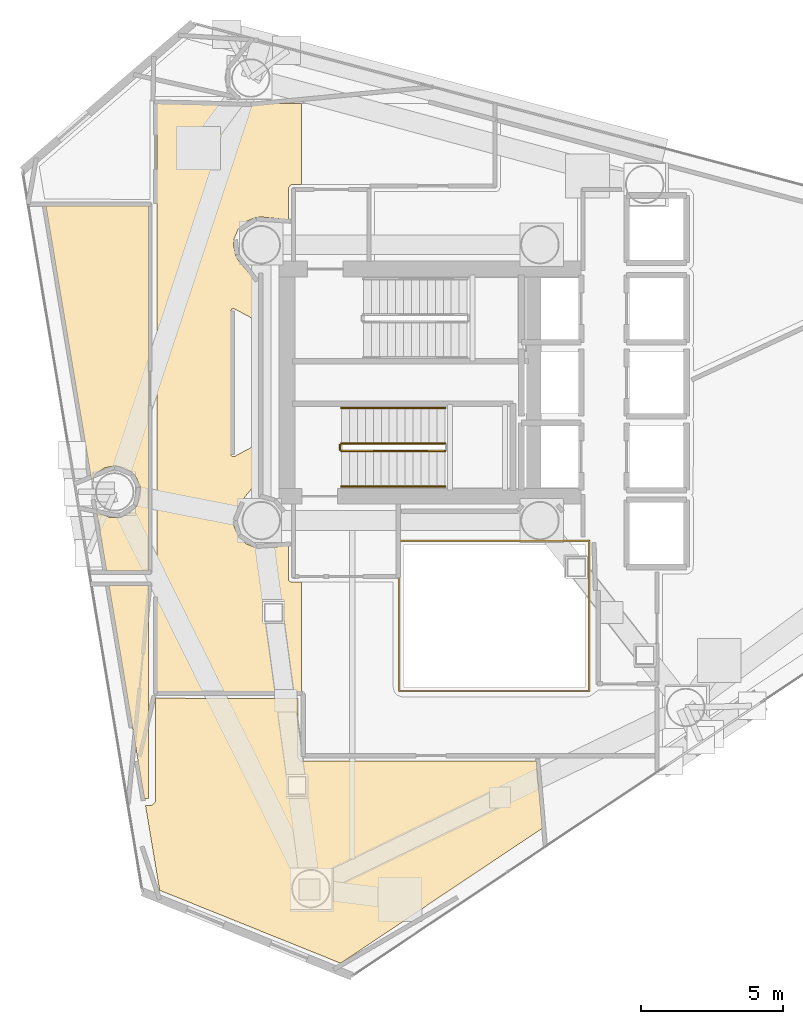
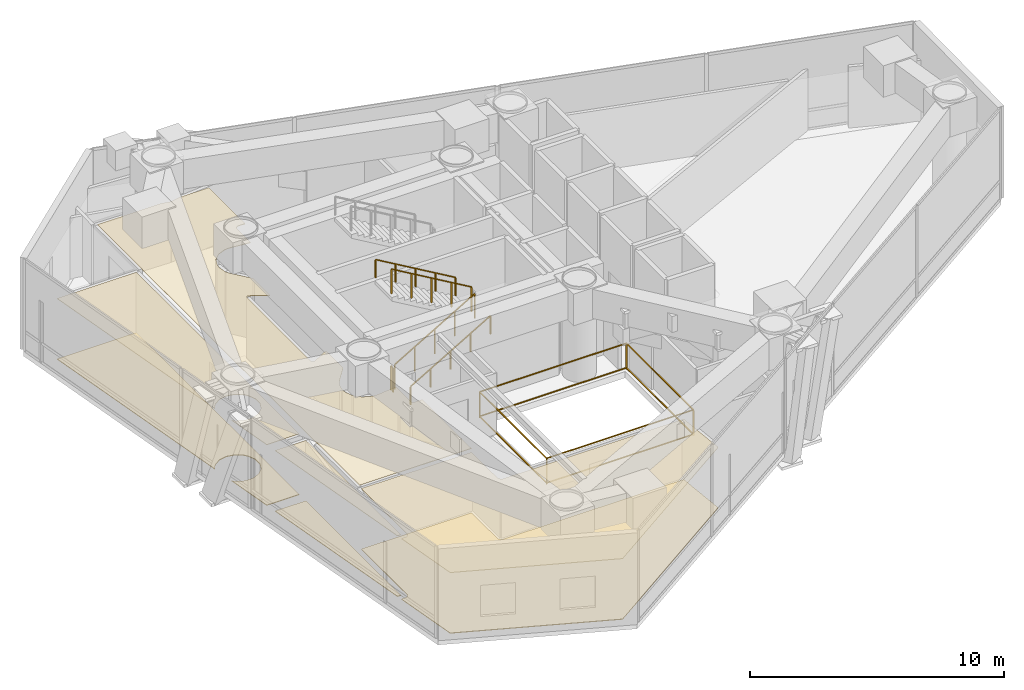
# One storey, part 20 of 22: 7 coverings, 6 railings.
"""IFC4 building model written with IfcOpenShell, lengths in metres."""

from ifc_helpers import new_model, si_unit, direction, frame, origin, origin_2d, place, context, subcontext, project, spatial, polyline, rectangle, outline, extrude, material, layer, layer_set, type_object, element, save


model = new_model("IFC4")

# Units and contexts
model_context = context("Model", 3, precision=1e-05, world=origin(), true_north=direction((0.0, 1.0)))
body_context = subcontext(model_context, "Body", "Model", "MODEL_VIEW")
ifc_project = project(units=[si_unit("LENGTHUNIT", "METRE"), si_unit("AREAUNIT", "SQUARE_METRE"), si_unit("VOLUMEUNIT", "CUBIC_METRE"), si_unit("PLANEANGLEUNIT", "RADIAN"), si_unit("MASSUNIT", "GRAM", prefix="KILO")], contexts=[model_context])

# Site, building, storey
site_placement = place(None, origin())
site = spatial("IfcSite", under=ifc_project, at=site_placement, CompositionType="ELEMENT")
building_placement = place(site_placement, origin())
building = spatial("IfcBuilding", under=site, at=building_placement, Name="Qianvela Tower", CompositionType="ELEMENT")
storey_placement = place(building_placement, frame((0.0, 0.0, 184.60009765625)))
storey = spatial("IfcBuildingStorey", under=building, at=storey_placement, Name="L47", CompositionType="ELEMENT", Elevation=184.60009765625)

# Coverings
ifc_material_1 = material(Name="Perforated Mineral Acoustic Ceiling Tile")
ifc_layer_1 = layer(ifc_material_1, 0.02490234375)
ifc_layer_set_1 = layer_set([ifc_layer_1], Name="Perforated Mineral Acoustic Ceiling Tile")
covering_type_1 = type_object("IfcCoveringType", Name="COV-CEIL-ACOUSTIC-25", PredefinedType="CEILING", material=ifc_layer_set_1)
covering_1_placement = place(storey_placement, frame((0.0, 0.0, 2.914794921875)))
element("IfcCovering", 1, at=covering_1_placement, inside=storey, type_object=covering_type_1, Name="L47 Acoustic Ceiling L47 Fire Refuge Area North", PredefinedType="CEILING", context=body_context, shape_type="SweptSolid", body=[
    extrude(outline(polyline([(22.631103515625, 25.257568359375), (21.024658203125, 34.919921875), (24.639892578125, 34.919921875), (24.639892578125, 22.080078125), (23.159423828125, 22.080078125), (22.801513671875, 24.232177734375), (22.925537109375, 24.108154296875), (22.931396484375, 24.102783203125), (22.937744140625, 24.09814453125), (22.9443359375, 24.09423828125), (22.951416015625, 24.0908203125), (23.25244140625, 23.966064453125), (23.260009765625, 23.96337890625), (23.267578125, 23.961669921875), (23.275390625, 23.96044921875), (23.283203125, 23.9599609375), (23.60888671875, 23.9599609375), (23.61669921875, 23.96044921875), (23.62451171875, 23.961669921875), (23.632080078125, 23.96337890625), (23.639404296875, 23.966064453125), (23.9404296875, 24.0908203125), (23.947509765625, 24.09423828125), (23.954345703125, 24.09814453125), (23.960693359375, 24.102783203125), (23.966552734375, 24.108154296875), (24.19677734375, 24.33837890625), (24.2021484375, 24.34423828125), (24.206787109375, 24.3505859375), (24.210693359375, 24.357421875), (24.214111328125, 24.364501953125), (24.3388671875, 24.66552734375), (24.341552734375, 24.6728515625), (24.343505859375, 24.680419921875), (24.344482421875, 24.688232421875), (24.344970703125, 24.696044921875), (24.344970703125, 25.02197265625), (24.344482421875, 25.02978515625), (24.343505859375, 25.03759765625), (24.341552734375, 25.045166015625), (24.3388671875, 25.052490234375), (24.214111328125, 25.353515625), (24.210693359375, 25.360595703125), (24.206787109375, 25.3671875), (24.2021484375, 25.373779296875), (24.098388671875, 25.500244140625), (24.093017578125, 25.506103515625), (24.087158203125, 25.51123046875), (24.080810546875, 25.51611328125), (23.81005859375, 25.697021484375), (23.80322265625, 25.700927734375), (23.796142578125, 25.704345703125), (23.788818359375, 25.70703125), (23.781005859375, 25.708984375), (23.461669921875, 25.7724609375), (23.453857421875, 25.773681640625), (23.446044921875, 25.77392578125), (23.438232421875, 25.773681640625), (23.430419921875, 25.7724609375), (23.11083984375, 25.708984375), (23.103271484375, 25.70703125), (23.095703125, 25.704345703125), (23.088623046875, 25.700927734375), (23.08203125, 25.697021484375), (22.81103515625, 25.51611328125), (22.8046875, 25.51123046875), (22.799072265625, 25.506103515625), (22.793701171875, 25.500244140625), (22.7890625, 25.493896484375), (22.631103515625, 25.257568359375)])), origin(), (0.0, 0.0, 1.0), 0.025146484375),
])
covering_2_placement = place(storey_placement, frame((0.0, 0.0, 2.914794921875)))
element("IfcCovering", 2, at=covering_2_placement, inside=storey, type_object=covering_type_1, Name="L47 Acoustic Ceiling L47 Fire Refuge Area South", PredefinedType="CEILING", context=body_context, shape_type="SweptSolid", body=[
    extrude(outline(polyline([(24.489501953125, 14.080078125), (23.244140625, 21.570068359375), (24.639892578125, 21.570068359375), (24.639892578125, 14.080078125), (24.489501953125, 14.080078125)])), origin(), (0.0, 0.0, 1.0), 0.025146484375),
])
covering_3_placement = place(storey_placement, frame((0.0, 0.0, 2.914794921875)))
element("IfcCovering", 3, at=covering_3_placement, inside=storey, type_object=covering_type_1, Name="L47 Acoustic Ceiling Bay 1 L47 Mechanical Plant Corridor", PredefinedType="CEILING", context=body_context, shape_type="SweptSolid", body=[
    extrude(outline(polyline([(27.900634765625, 24.52734375), (27.70654296875, 24.23681640625), (27.70263671875, 24.230224609375), (27.69921875, 24.22314453125), (27.696533203125, 24.2158203125), (27.694580078125, 24.2080078125), (27.62646484375, 23.865478515625), (27.62548828125, 23.85791015625), (27.625, 23.85009765625), (27.62548828125, 23.84228515625), (27.642578125, 23.66748046875), (27.643798828125, 23.659912109375), (27.6455078125, 23.652099609375), (27.648193359375, 23.644775390625), (27.781982421875, 23.322021484375), (27.785400390625, 23.315185546875), (27.789306640625, 23.308349609375), (27.7939453125, 23.302001953125), (27.79931640625, 23.296142578125), (28.046142578125, 23.04931640625), (28.052001953125, 23.0439453125), (28.058349609375, 23.039306640625), (28.065185546875, 23.035400390625), (28.072021484375, 23.031982421875), (28.394775390625, 22.898193359375), (28.402099609375, 22.8955078125), (28.409912109375, 22.893798828125), (28.41748046875, 22.892578125), (28.59228515625, 22.87548828125), (28.60009765625, 22.875), (28.60791015625, 22.87548828125), (29.55810546875, 22.968994140625), (29.55810546875, 21.780029296875), (29.558349609375, 21.772216796875), (29.5595703125, 21.764404296875), (29.561279296875, 21.7568359375), (29.564208984375, 21.74951171875), (29.5673828125, 21.7421875), (29.571533203125, 21.735595703125), (29.576171875, 21.729248046875), (29.581298828125, 21.723388671875), (29.587158203125, 21.71826171875), (29.593505859375, 21.71337890625), (29.600341796875, 21.70947265625), (29.607421875, 21.7060546875), (29.61474609375, 21.703369140625), (29.622314453125, 21.701416015625), (29.630126953125, 21.700439453125), (29.637939453125, 21.699951171875), (30.01513671875, 21.699951171875), (30.01513671875, 17.830078125), (24.929931640625, 17.830078125), (24.929931640625, 38.52001953125), (27.831787109375, 38.52001953125), (28.218505859375, 38.437744140625), (28.2265625, 38.436279296875), (28.235107421875, 38.43603515625), (28.243408203125, 38.436279296875), (28.251708984375, 38.437744140625), (28.63818359375, 38.52001953125), (30.01513671875, 38.52001953125), (30.01513671875, 35.660888671875), (29.68798828125, 35.660888671875), (29.68017578125, 35.660400390625), (29.67236328125, 35.6591796875), (29.664794921875, 35.657470703125), (29.6572265625, 35.65478515625), (29.650146484375, 35.6513671875), (29.6435546875, 35.647216796875), (29.63720703125, 35.642578125), (29.63134765625, 35.637451171875), (29.626220703125, 35.631591796875), (29.576171875, 35.57080078125), (29.571533203125, 35.564453125), (29.5673828125, 35.5576171875), (29.564208984375, 35.550537109375), (29.561279296875, 35.543212890625), (29.5595703125, 35.53564453125), (29.558349609375, 35.52783203125), (29.55810546875, 35.52001953125), (29.55810546875, 34.430908203125), (28.60791015625, 34.524658203125), (28.60009765625, 34.52490234375), (28.59228515625, 34.524658203125), (28.41748046875, 34.50732421875), (28.409912109375, 34.50634765625), (28.402099609375, 34.50439453125), (28.394775390625, 34.501708984375), (28.072021484375, 34.3681640625), (28.065185546875, 34.36474609375), (28.058349609375, 34.360595703125), (28.052001953125, 34.35595703125), (28.046142578125, 34.3505859375), (27.79931640625, 34.103759765625), (27.7939453125, 34.097900390625), (27.789306640625, 34.091796875), (27.785400390625, 34.0849609375), (27.781982421875, 34.077880859375), (27.648193359375, 33.755126953125), (27.6455078125, 33.747802734375), (27.643798828125, 33.740234375), (27.642578125, 33.732421875), (27.62548828125, 33.557861328125), (27.625, 33.550048828125), (27.62548828125, 33.542236328125), (27.62646484375, 33.534423828125), (27.694580078125, 33.19189453125), (27.696533203125, 33.184326171875), (27.69921875, 33.177001953125), (27.70263671875, 33.169921875), (27.785400390625, 33.01513671875), (27.789306640625, 33.00830078125), (27.7939453125, 33.001953125), (28.39990234375, 32.263671875), (28.39990234375, 30.898193359375), (27.65771484375, 31.295166015625), (27.650634765625, 31.298583984375), (27.643310546875, 31.301025390625), (27.635498046875, 31.302978515625), (27.627685546875, 31.30419921875), (27.6201171875, 31.304443359375), (27.6123046875, 31.30419921875), (27.6044921875, 31.302978515625), (27.5966796875, 31.301025390625), (27.58935546875, 31.298583984375), (27.582275390625, 31.295166015625), (27.57568359375, 31.291015625), (27.569091796875, 31.286376953125), (27.5634765625, 31.281005859375), (27.55810546875, 31.275390625), (27.553466796875, 31.26904296875), (27.54931640625, 31.26220703125), (27.546142578125, 31.255126953125), (27.54345703125, 31.247802734375), (27.54150390625, 31.239990234375), (27.540283203125, 31.232421875), (27.5400390625, 31.224609375), (27.5400390625, 26.175537109375), (27.540283203125, 26.16748046875), (27.54150390625, 26.159912109375), (27.54345703125, 26.152099609375), (27.546142578125, 26.144775390625), (27.54931640625, 26.1376953125), (27.553466796875, 26.131103515625), (27.55810546875, 26.124755859375), (27.5634765625, 26.118896484375), (27.569091796875, 26.113525390625), (27.57568359375, 26.10888671875), (27.582275390625, 26.10498046875), (27.58935546875, 26.1015625), (27.5966796875, 26.098876953125), (27.6044921875, 26.096923828125), (27.6123046875, 26.095703125), (27.6201171875, 26.095458984375), (27.627685546875, 26.095703125), (27.635498046875, 26.096923828125), (27.643310546875, 26.098876953125), (27.650634765625, 26.1015625), (27.65771484375, 26.10498046875), (28.39990234375, 26.501708984375), (28.39990234375, 25.136474609375), (27.9052734375, 24.53369140625), (27.900634765625, 24.52734375)])), origin(), (0.0, 0.0, 1.0), 0.025146484375),
])
covering_4_placement = place(storey_placement, frame((0.0, 0.0, 2.914794921875)))
element("IfcCovering", 4, at=covering_4_placement, inside=storey, type_object=covering_type_1, Name="L47 Acoustic Ceiling L47 Air Handling and Smoke Exhaust Plant Room", PredefinedType="CEILING", context=body_context, shape_type="SweptSolid", body=[
    extrude(outline(polyline([(24.529296875, 13.840576171875), (24.736083984375, 13.841552734375), (24.744384765625, 13.842041015625), (24.75244140625, 13.84326171875), (24.760498046875, 13.845458984375), (24.768310546875, 13.848388671875), (24.775634765625, 13.852294921875), (24.78271484375, 13.856689453125), (24.7890625, 13.862060546875), (24.794921875, 13.867919921875), (24.85888671875, 13.9384765625), (24.8642578125, 13.945068359375), (24.868896484375, 13.951904296875), (24.87255859375, 13.95947265625), (24.875732421875, 13.96728515625), (24.877685546875, 13.975341796875), (24.879150390625, 13.98388671875), (24.879638671875, 13.9921875), (24.8798828125, 17.607421875), (29.889892578125, 17.59033203125), (29.889892578125, 15.550048828125), (29.890380859375, 15.542236328125), (29.8916015625, 15.534423828125), (29.893310546875, 15.52685546875), (29.89599609375, 15.519287109375), (29.8994140625, 15.51220703125), (29.903564453125, 15.505615234375), (29.908203125, 15.499267578125), (29.97265625, 15.4208984375), (29.977783203125, 15.4150390625), (29.983642578125, 15.40966796875), (29.989990234375, 15.405029296875), (29.99658203125, 15.40087890625), (30.00390625, 15.397705078125), (30.01123046875, 15.39501953125), (30.018798828125, 15.39306640625), (30.026611328125, 15.391845703125), (30.034423828125, 15.3916015625), (38.277587890625, 15.389892578125), (38.48388671875, 13.0341796875), (31.39111328125, 8.287109375), (25.0263671875, 10.851806640625), (24.529296875, 13.840576171875)])), origin(), (0.0, 0.0, 1.0), 0.025146484375),
])
ifc_material_2 = material(Name="Honed Stone Terrazzo Flooring", Category="masonry")
ifc_layer_2 = layer(ifc_material_2, 0.030029296875)
ifc_layer_set_2 = layer_set([ifc_layer_2], Name="Honed Stone Terrazzo Flooring")
covering_type_2 = type_object("IfcCoveringType", Name="COV-FLOOR-TERRAZZO-30", PredefinedType="FLOORING", material=ifc_layer_set_2)
covering_5_placement = place(storey_placement, origin())
element("IfcCovering", 5, at=covering_5_placement, inside=storey, type_object=covering_type_2, Name="L47 Finish Flooring L47 Fire Refuge Area North", PredefinedType="FLOORING", context=body_context, shape_type="SweptSolid", body=[
    extrude(outline(polyline([(22.631103515625, 25.257568359375), (21.024658203125, 34.919921875), (24.639892578125, 34.919921875), (24.639892578125, 22.080078125), (23.159423828125, 22.080078125), (22.801513671875, 24.232177734375), (22.925537109375, 24.108154296875), (22.931396484375, 24.102783203125), (22.937744140625, 24.09814453125), (22.9443359375, 24.09423828125), (22.951416015625, 24.0908203125), (23.25244140625, 23.966064453125), (23.260009765625, 23.96337890625), (23.267578125, 23.961669921875), (23.275390625, 23.96044921875), (23.283203125, 23.9599609375), (23.60888671875, 23.9599609375), (23.61669921875, 23.96044921875), (23.62451171875, 23.961669921875), (23.632080078125, 23.96337890625), (23.639404296875, 23.966064453125), (23.9404296875, 24.0908203125), (23.947509765625, 24.09423828125), (23.954345703125, 24.09814453125), (23.960693359375, 24.102783203125), (23.966552734375, 24.108154296875), (24.19677734375, 24.33837890625), (24.2021484375, 24.34423828125), (24.206787109375, 24.3505859375), (24.210693359375, 24.357421875), (24.214111328125, 24.364501953125), (24.3388671875, 24.66552734375), (24.341552734375, 24.6728515625), (24.343505859375, 24.680419921875), (24.344482421875, 24.688232421875), (24.344970703125, 24.696044921875), (24.344970703125, 25.02197265625), (24.344482421875, 25.02978515625), (24.343505859375, 25.03759765625), (24.341552734375, 25.045166015625), (24.3388671875, 25.052490234375), (24.214111328125, 25.353515625), (24.210693359375, 25.360595703125), (24.206787109375, 25.3671875), (24.2021484375, 25.373779296875), (24.098388671875, 25.500244140625), (24.093017578125, 25.506103515625), (24.087158203125, 25.51123046875), (24.080810546875, 25.51611328125), (23.81005859375, 25.697021484375), (23.80322265625, 25.700927734375), (23.796142578125, 25.704345703125), (23.788818359375, 25.70703125), (23.781005859375, 25.708984375), (23.461669921875, 25.7724609375), (23.453857421875, 25.773681640625), (23.446044921875, 25.77392578125), (23.438232421875, 25.773681640625), (23.430419921875, 25.7724609375), (23.11083984375, 25.708984375), (23.103271484375, 25.70703125), (23.095703125, 25.704345703125), (23.088623046875, 25.700927734375), (23.08203125, 25.697021484375), (22.81103515625, 25.51611328125), (22.8046875, 25.51123046875), (22.799072265625, 25.506103515625), (22.793701171875, 25.500244140625), (22.7890625, 25.493896484375), (22.631103515625, 25.257568359375)])), origin(), (0.0, 0.0, 1.0), 0.02978515625),
])
covering_6_placement = place(storey_placement, origin())
element("IfcCovering", 6, at=covering_6_placement, inside=storey, type_object=covering_type_2, Name="L47 Finish Flooring L47 Fire Refuge Area South", PredefinedType="FLOORING", context=body_context, shape_type="SweptSolid", body=[
    extrude(outline(polyline([(24.489501953125, 14.080078125), (23.244140625, 21.570068359375), (24.639892578125, 21.570068359375), (24.639892578125, 14.080078125), (24.489501953125, 14.080078125)])), origin(), (0.0, 0.0, 1.0), 0.02978515625),
])
covering_7_placement = place(storey_placement, origin())
element("IfcCovering", 7, at=covering_7_placement, inside=storey, type_object=covering_type_2, Name="L47 Finish Flooring L47 Air Handling and Smoke Exhaust Plant Room", PredefinedType="FLOORING", context=body_context, shape_type="SweptSolid", body=[
    extrude(outline(polyline([(24.529296875, 13.840576171875), (24.736083984375, 13.841552734375), (24.744384765625, 13.842041015625), (24.75244140625, 13.84326171875), (24.760498046875, 13.845458984375), (24.768310546875, 13.848388671875), (24.775634765625, 13.852294921875), (24.78271484375, 13.856689453125), (24.7890625, 13.862060546875), (24.794921875, 13.867919921875), (24.85888671875, 13.9384765625), (24.8642578125, 13.945068359375), (24.868896484375, 13.951904296875), (24.87255859375, 13.95947265625), (24.875732421875, 13.96728515625), (24.877685546875, 13.975341796875), (24.879150390625, 13.98388671875), (24.879638671875, 13.9921875), (24.8798828125, 17.607421875), (29.889892578125, 17.59033203125), (29.889892578125, 15.550048828125), (29.890380859375, 15.542236328125), (29.8916015625, 15.534423828125), (29.893310546875, 15.52685546875), (29.89599609375, 15.519287109375), (29.8994140625, 15.51220703125), (29.903564453125, 15.505615234375), (29.908203125, 15.499267578125), (29.97265625, 15.4208984375), (29.977783203125, 15.4150390625), (29.983642578125, 15.40966796875), (29.989990234375, 15.405029296875), (29.99658203125, 15.40087890625), (30.00390625, 15.397705078125), (30.01123046875, 15.39501953125), (30.018798828125, 15.39306640625), (30.026611328125, 15.391845703125), (30.034423828125, 15.3916015625), (38.277587890625, 15.389892578125), (38.48388671875, 13.0341796875), (31.39111328125, 8.287109375), (25.0263671875, 10.851806640625), (24.529296875, 13.840576171875)])), origin(), (0.0, 0.0, 1.0), 0.02978515625),
])

# Railings
ifc_material_3 = material(Name="Laminated Safety Glass and Stainless Steel 316", Category="steel")
railing_type_1 = type_object("IfcRailingType", Name="RL-ATRIUM-GUARD-1250", PredefinedType="GUARDRAIL", material=ifc_material_3)
railing_1_placement = place(storey_placement, frame((33.4599609375, 17.860107421875, 0.0)))
element("IfcRailing", 8, at=railing_1_placement, inside=storey, type_object=railing_type_1, Name="L47 Atrium Edge Guardrail 1", PredefinedType="GUARDRAIL", context=body_context, shape_type="SweptSolid", body=[
    extrude(rectangle(XDim=0.050048828125, YDim=0.0400390625, at=origin_2d()), frame((0.0, 0.0, 1.22998046875), z_axis=(0.0, 1.0, 0.0), x_axis=(-1.0, 0.0, 0.0)), (0.0, 0.0, 1.0), 5.27978515625),
    extrude(rectangle(XDim=0.050048828125, YDim=0.0400390625, at=origin_2d()), frame((0.0, 0.0, 0.050048828125), z_axis=(0.0, 1.0, 0.0), x_axis=(-1.0, 0.0, 0.0)), (0.0, 0.0, 1.0), 5.27978515625),
    extrude(rectangle(XDim=0.050048828125, YDim=0.0400390625, at=origin_2d()), frame((0.0, 5.27978515625, 1.22998046875), z_axis=(1.0, 0.0, 0.0), x_axis=(0.0, 1.0, 0.0)), (0.0, 0.0, 1.0), 6.679931640625),
    extrude(rectangle(XDim=0.050048828125, YDim=0.0400390625, at=origin_2d()), frame((0.0, 5.27978515625, 0.050048828125), z_axis=(1.0, 0.0, 0.0), x_axis=(0.0, 1.0, 0.0)), (0.0, 0.0, 1.0), 6.679931640625),
    extrude(rectangle(XDim=0.050048828125, YDim=0.0400390625, at=origin_2d()), frame((6.679931640625, 5.27978515625, 1.22998046875), z_axis=(0.0, -1.0, 0.0), x_axis=(1.0, 0.0, 0.0)), (0.0, 0.0, 1.0), 5.27978515625),
    extrude(rectangle(XDim=0.050048828125, YDim=0.0400390625, at=origin_2d()), frame((6.679931640625, 5.27978515625, 0.050048828125), z_axis=(0.0, -1.0, 0.0), x_axis=(1.0, 0.0, 0.0)), (0.0, 0.0, 1.0), 5.27978515625),
    extrude(rectangle(XDim=0.050048828125, YDim=0.0400390625, at=origin_2d()), frame((6.679931640625, 0.0, 1.22998046875), z_axis=(-1.0, 0.0, 0.0), x_axis=(0.0, -1.0, 0.0)), (0.0, 0.0, 1.0), 6.679931640625),
    extrude(rectangle(XDim=0.050048828125, YDim=0.0400390625, at=origin_2d()), frame((6.679931640625, 0.0, 0.050048828125), z_axis=(-1.0, 0.0, 0.0), x_axis=(0.0, -1.0, 0.0)), (0.0, 0.0, 1.0), 6.679931640625),
    extrude(rectangle(XDim=0.050048828125, YDim=0.050048828125, at=origin_2d()), origin(), (0.0, 0.0, 1.0), 1.2099609375),
    extrude(rectangle(XDim=0.050048828125, YDim=0.050048828125, at=origin_2d()), frame((0.0, 5.27978515625, 0.0)), (0.0, 0.0, 1.0), 1.2099609375),
    extrude(rectangle(XDim=0.050048828125, YDim=0.050048828125, at=origin_2d()), frame((6.679931640625, 5.27978515625, 0.0)), (0.0, 0.0, 1.0), 1.2099609375),
    extrude(rectangle(XDim=0.050048828125, YDim=0.050048828125, at=origin_2d()), frame((6.679931640625, 0.0, 0.0)), (0.0, 0.0, 1.0), 1.2099609375),
])
ifc_material_4 = material(Name="Painted Tubular Steel Q355B", Category="steel")
railing_type_2 = type_object("IfcRailingType", Name="RL-STAIR-GUARD-1200", PredefinedType="GUARDRAIL", material=ifc_material_4)
railing_2_placement = place(storey_placement, frame((31.419921875, 26.300048828125, 0.164306640625)))
element("IfcRailing", 9, at=railing_2_placement, inside=storey, type_object=railing_type_2, Name="L47 ST-2 stair guard 1", PredefinedType="GUARDRAIL", context=body_context, shape_type="SweptSolid", body=[
    extrude(rectangle(XDim=0.050048828125, YDim=0.0400390625, at=origin_2d()), frame((0.0, 0.0, 1.179931640625), z_axis=(0.862529955373, 0.0, 0.506006004), x_axis=(0.0, 1.0, 0.0)), (0.0, 0.0, 1.0), 4.22021484375),
    extrude(rectangle(XDim=0.050048828125, YDim=0.050048828125, at=origin_2d()), origin(), (0.0, 0.0, 1.0), 1.159912109375),
    extrude(rectangle(XDim=0.050048828125, YDim=0.050048828125, at=origin_2d()), frame((0.91015625, 0.0, 0.533935546875)), (0.0, 0.0, 1.0), 1.159912109375),
    extrude(rectangle(XDim=0.050048828125, YDim=0.050048828125, at=origin_2d()), frame((1.820068359375, 0.0, 1.06787109375)), (0.0, 0.0, 1.0), 1.159912109375),
    extrude(rectangle(XDim=0.050048828125, YDim=0.050048828125, at=origin_2d()), frame((2.72998046875, 0.0, 1.6015625)), (0.0, 0.0, 1.0), 1.159912109375),
    extrude(rectangle(XDim=0.050048828125, YDim=0.050048828125, at=origin_2d()), frame((3.64013671875, 0.0, 2.135498046875)), (0.0, 0.0, 1.0), 1.159912109375),
])
railing_3_placement = place(storey_placement, frame((35.06005859375, 26.56005859375, 2.464111328125)))
element("IfcRailing", 10, at=railing_3_placement, inside=storey, type_object=railing_type_2, Name="L47 ST-2 stair guard 3", PredefinedType="GUARDRAIL", context=body_context, shape_type="SweptSolid", body=[
    extrude(rectangle(XDim=0.050048828125, YDim=0.0400390625, at=origin_2d()), frame((0.0, 0.0, 1.179931640625), z_axis=(-0.862504707072, 0.0, 0.506049039401), x_axis=(0.0, -1.0, 0.0)), (0.0, 0.0, 1.0), 4.220458984375),
    extrude(rectangle(XDim=0.050048828125, YDim=0.050048828125, at=origin_2d()), origin(), (0.0, 0.0, 1.0), 1.159912109375),
    extrude(rectangle(XDim=0.050048828125, YDim=0.050048828125, at=origin_2d()), frame((-0.91015625, 0.0, 0.533935546875)), (0.0, 0.0, 1.0), 1.159912109375),
    extrude(rectangle(XDim=0.050048828125, YDim=0.050048828125, at=origin_2d()), frame((-1.820068359375, 0.0, 1.06787109375)), (0.0, 0.0, 1.0), 1.159912109375),
    extrude(rectangle(XDim=0.050048828125, YDim=0.050048828125, at=origin_2d()), frame((-2.72998046875, 0.0, 1.601806640625)), (0.0, 0.0, 1.0), 1.159912109375),
    extrude(rectangle(XDim=0.050048828125, YDim=0.050048828125, at=origin_2d()), frame((-3.64013671875, 0.0, 2.1357421875)), (0.0, 0.0, 1.0), 1.159912109375),
])
railing_4_placement = place(storey_placement, frame((31.3701171875, 26.35009765625, 0.0)))
element("IfcRailing", 11, at=railing_4_placement, inside=storey, type_object=railing_type_2, Name="L47 ST-2 stair guard 4", PredefinedType="GUARDRAIL", context=body_context, shape_type="SweptSolid", body=[
    extrude(rectangle(XDim=0.050048828125, YDim=0.0400390625, at=origin_2d()), frame((0.0, 0.0, 1.179931640625), z_axis=(0.0, 1.0, 0.0), x_axis=(-1.0, 0.0, 0.0)), (0.0, 0.0, 1.0), 0.159912109375),
    extrude(rectangle(XDim=0.050048828125, YDim=0.050048828125, at=origin_2d()), origin(), (0.0, 0.0, 1.0), 1.159912109375),
    extrude(rectangle(XDim=0.050048828125, YDim=0.050048828125, at=origin_2d()), frame((0.0, 0.159912109375, 0.0)), (0.0, 0.0, 1.0), 1.159912109375),
])
ifc_material_5 = material(Name="Brushed Stainless Steel 304", Category="steel")
railing_type_3 = type_object("IfcRailingType", Name="RL-STAIR-HANDRAIL-900", PredefinedType="HANDRAIL", material=ifc_material_5)
railing_5_placement = place(storey_placement, frame((31.419921875, 25.050048828125, 0.164306640625)))
element("IfcRailing", 12, at=railing_5_placement, inside=storey, type_object=railing_type_3, Name="L47 ST-2 stair handrail 1", PredefinedType="HANDRAIL", context=body_context, shape_type="SweptSolid", body=[
    extrude(rectangle(XDim=0.050048828125, YDim=0.0400390625, at=origin_2d()), frame((0.0, 0.0, 0.8798828125), z_axis=(0.862529955373, 0.0, 0.506006004), x_axis=(0.0, 1.0, 0.0)), (0.0, 0.0, 1.0), 4.22021484375),
    extrude(rectangle(XDim=0.050048828125, YDim=0.050048828125, at=origin_2d()), origin(), (0.0, 0.0, 1.0), 0.85986328125),
    extrude(rectangle(XDim=0.050048828125, YDim=0.050048828125, at=origin_2d()), frame((0.91015625, 0.0, 0.533935546875)), (0.0, 0.0, 1.0), 0.85986328125),
    extrude(rectangle(XDim=0.050048828125, YDim=0.050048828125, at=origin_2d()), frame((1.820068359375, 0.0, 1.06787109375)), (0.0, 0.0, 1.0), 0.85986328125),
    extrude(rectangle(XDim=0.050048828125, YDim=0.050048828125, at=origin_2d()), frame((2.72998046875, 0.0, 1.6015625)), (0.0, 0.0, 1.0), 0.85986328125),
    extrude(rectangle(XDim=0.050048828125, YDim=0.050048828125, at=origin_2d()), frame((3.64013671875, 0.0, 2.135498046875)), (0.0, 0.0, 1.0), 0.85986328125),
])
railing_6_placement = place(storey_placement, frame((35.06005859375, 27.81005859375, 2.464111328125)))
element("IfcRailing", 13, at=railing_6_placement, inside=storey, type_object=railing_type_3, Name="L47 ST-2 stair handrail 2", PredefinedType="HANDRAIL", context=body_context, shape_type="SweptSolid", body=[
    extrude(rectangle(XDim=0.050048828125, YDim=0.0400390625, at=origin_2d()), frame((0.0, 0.0, 0.8798828125), z_axis=(-0.862504707072, 0.0, 0.506049039401), x_axis=(0.0, -1.0, 0.0)), (0.0, 0.0, 1.0), 4.220458984375),
    extrude(rectangle(XDim=0.050048828125, YDim=0.050048828125, at=origin_2d()), origin(), (0.0, 0.0, 1.0), 0.85986328125),
    extrude(rectangle(XDim=0.050048828125, YDim=0.050048828125, at=origin_2d()), frame((-0.91015625, 0.0, 0.533935546875)), (0.0, 0.0, 1.0), 0.85986328125),
    extrude(rectangle(XDim=0.050048828125, YDim=0.050048828125, at=origin_2d()), frame((-1.820068359375, 0.0, 1.06787109375)), (0.0, 0.0, 1.0), 0.85986328125),
    extrude(rectangle(XDim=0.050048828125, YDim=0.050048828125, at=origin_2d()), frame((-2.72998046875, 0.0, 1.601806640625)), (0.0, 0.0, 1.0), 0.85986328125),
    extrude(rectangle(XDim=0.050048828125, YDim=0.050048828125, at=origin_2d()), frame((-3.64013671875, 0.0, 2.1357421875)), (0.0, 0.0, 1.0), 0.85986328125),
])

save(model, "model.ifc")
